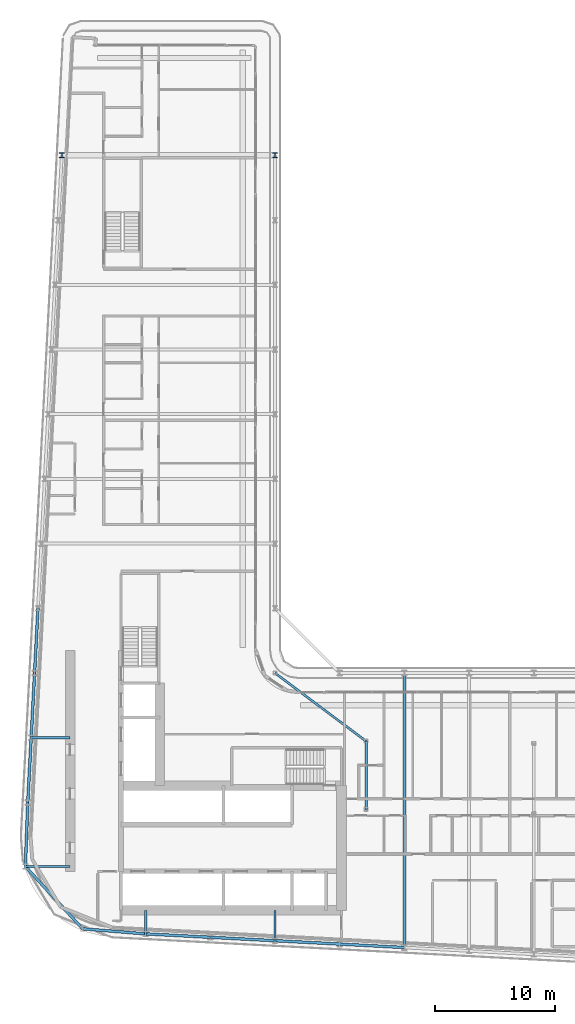
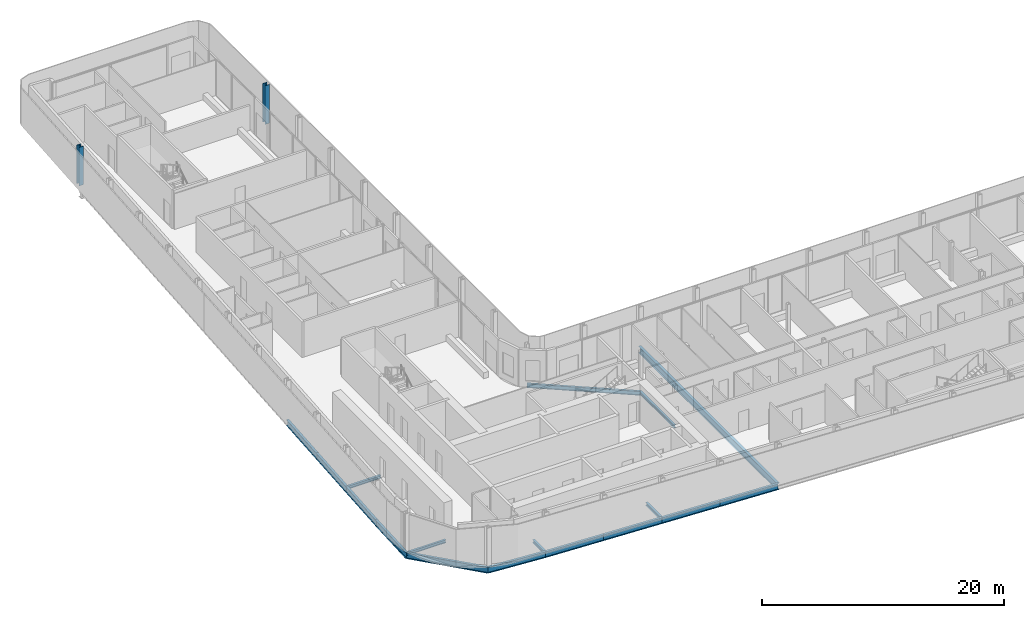
# One storey, part 5 of 30: 17 beams, 2 columns.
"""IFC4 building model written with IfcOpenShell, lengths in metres."""

from ifc_helpers import new_model, si_unit, direction, frame, origin, origin_2d, place, context, subcontext, project, spatial, i_section, extrude, material, material_profile, profile_set, type_object, element, save


model = new_model("IFC4")

# Units and contexts
model_context = context("Model", 3, precision=1e-05, world=origin(), true_north=direction((0.0, 1.0)))
body_context = subcontext(model_context, "Body", "Model", "MODEL_VIEW")
ifc_project = project(units=[si_unit("LENGTHUNIT", "METRE"), si_unit("AREAUNIT", "SQUARE_METRE"), si_unit("VOLUMEUNIT", "CUBIC_METRE"), si_unit("PLANEANGLEUNIT", "RADIAN"), si_unit("MASSUNIT", "GRAM", prefix="KILO")], contexts=[model_context])

# Site, building, storey
site_placement = place(None, origin())
site = spatial("IfcSite", under=ifc_project, at=site_placement, CompositionType="ELEMENT")
building_placement = place(site_placement, origin())
building = spatial("IfcBuilding", under=site, at=building_placement, Name="Kheshtan School and Residences Tower", CompositionType="ELEMENT")
storey_placement = place(building_placement, frame((0.0, 0.0, 199.39990234375)))
storey = spatial("IfcBuildingStorey", under=building, at=storey_placement, Name="L47", CompositionType="ELEMENT", Elevation=199.39990234375)

# Columns
ifc_material = material(Name="Steel ASTM A992 Grade 50", Category="steel")
ifc_material_profile_1 = material_profile(ifc_material, i_section(OverallWidth=0.408935546875, OverallDepth=0.425048828125, WebThickness=0.03271484375, FlangeThickness=0.052490234375, FilletRadius=0.0126953125, at=origin_2d()), Name="W360x421")
ifc_profile_set_1 = profile_set([ifc_material_profile_1], Name="Steel ASTM A992 Grade 50")
column_type = type_object("IfcColumnType", Name="Column C3 W360x421 ASTM A992 Grade 50", PredefinedType="COLUMN", material=ifc_profile_set_1)
for number, where, z_axis, x_axis, name in (
    (1, (29.81103515625, 88.800048828125, 0.0), (0.0, 0.0, 1.0), (1.0, 0.0, 0.0), "Column C098"),
    (2, (47.60009765625, 88.800048828125, 0.0), (0.0, 0.0, 1.0), (1.0, 0.0, 0.0), "Column C099"),
):
    element("IfcColumn", number, at=place(storey_placement, frame(where, z_axis=z_axis, x_axis=x_axis)), inside=storey, type_object=column_type, Name=name, PredefinedType="COLUMN", context=body_context, shape_type="SweptSolid", body=[
        extrude(i_section(OverallWidth=0.408935546875, OverallDepth=0.425048828125, WebThickness=0.03271484375, FlangeThickness=0.052490234375, FilletRadius=0.0126953125, at=origin_2d()), origin(), (0.0, 0.0, 1.0), 3.900146484375),
    ])

# Beams
ifc_material_profile_2 = material_profile(ifc_material, i_section(OverallWidth=0.202880859375, OverallDepth=0.302978515625, WebThickness=0.007568359375, FlangeThickness=0.01318359375, FilletRadius=0.009033203125, at=origin_2d()), Name="W310x60")
ifc_profile_set_2 = profile_set([ifc_material_profile_2], Name="Steel ASTM A992 Grade 50")
beam_type_1 = type_object("IfcBeamType", Name="Beam FB1 W310x60 ASTM A992 Grade 50", PredefinedType="BEAM", material=ifc_profile_set_2)
beam_1_placement = place(storey_placement, frame((47.60009765625, 23.263916015625, -0.301513671875), z_axis=(0.0, 1.0, 0.0), x_axis=(-1.0, 0.0, 0.0)))
element("IfcBeam", 3, at=beam_1_placement, inside=storey, type_object=beam_type_1, Name="Floor beam C020", PredefinedType="BEAM", context=body_context, shape_type="SweptSolid", body=[
    extrude(i_section(OverallWidth=0.202880859375, OverallDepth=0.302978515625, WebThickness=0.007568359375, FlangeThickness=0.01318359375, FilletRadius=0.009033203125, at=origin_2d()), origin(), (0.0, 0.0, 1.0), 2.5361328125),
])
beam_2_placement = place(storey_placement, frame((36.800048828125, 23.83203125, -0.301513671875), z_axis=(0.0, 1.0, 0.0), x_axis=(-1.0, 0.0, 0.0)))
element("IfcBeam", 4, at=beam_2_placement, inside=storey, type_object=beam_type_1, Name="Floor beam C022", PredefinedType="BEAM", context=body_context, shape_type="SweptSolid", body=[
    extrude(i_section(OverallWidth=0.202880859375, OverallDepth=0.302978515625, WebThickness=0.007568359375, FlangeThickness=0.01318359375, FilletRadius=0.009033203125, at=origin_2d()), origin(), (0.0, 0.0, 1.0), 1.968017578125),
])
beam_3_placement = place(storey_placement, frame((26.76904296875, 29.4541015625, -0.301513671875), z_axis=(1.0, 0.0, 0.0), x_axis=(0.0, 1.0, 0.0)))
element("IfcBeam", 5, at=beam_3_placement, inside=storey, type_object=beam_type_1, Name="Floor beam C038", PredefinedType="BEAM", context=body_context, shape_type="SweptSolid", body=[
    extrude(i_section(OverallWidth=0.202880859375, OverallDepth=0.302978515625, WebThickness=0.007568359375, FlangeThickness=0.01318359375, FilletRadius=0.009033203125, at=origin_2d()), origin(), (0.0, 0.0, 1.0), 3.73095703125),
])
beam_4_placement = place(storey_placement, frame((27.2529296875, 40.199951171875, -0.301513671875), z_axis=(1.0, 0.0, 0.0), x_axis=(0.0, 1.0, 0.0)))
element("IfcBeam", 6, at=beam_4_placement, inside=storey, type_object=beam_type_1, Name="Floor beam C056", PredefinedType="BEAM", context=body_context, shape_type="SweptSolid", body=[
    extrude(i_section(OverallWidth=0.202880859375, OverallDepth=0.302978515625, WebThickness=0.007568359375, FlangeThickness=0.01318359375, FilletRadius=0.009033203125, at=origin_2d()), origin(), (0.0, 0.0, 1.0), 3.2470703125),
])
beam_5_placement = place(storey_placement, frame((55.199951171875, 34.23193359375, -0.301513671875), z_axis=(0.0, 1.0, 0.0), x_axis=(-1.0, 0.0, 0.0)))
element("IfcBeam", 7, at=beam_5_placement, inside=storey, type_object=beam_type_1, Name="Floor beam IC", PredefinedType="BEAM", context=body_context, shape_type="SweptSolid", body=[
    extrude(i_section(OverallWidth=0.202880859375, OverallDepth=0.302978515625, WebThickness=0.007568359375, FlangeThickness=0.01318359375, FilletRadius=0.009033203125, at=origin_2d()), origin(), (0.0, 0.0, 1.0), 5.68408203125),
])
ifc_material_profile_3 = material_profile(ifc_material, i_section(OverallWidth=0.180908203125, OverallDepth=0.4169921875, WebThickness=0.010986328125, FlangeThickness=0.018310546875, FilletRadius=0.012451171875, at=origin_2d()), Name="W410x85")
ifc_profile_set_3 = profile_set([ifc_material_profile_3], Name="Steel ASTM A992 Grade 50")
beam_type_2 = type_object("IfcBeamType", Name="Beam FB3 W410x85 ASTM A992 Grade 50", PredefinedType="BEAM", material=ifc_profile_set_3)
beam_6_placement = place(storey_placement, frame((47.60009765625, 45.60009765625, -0.3583984375), z_axis=(0.800798828004, -0.598933416222, 0.0), x_axis=(0.598933416222, 0.800798828004, 0.0)))
element("IfcBeam", 8, at=beam_6_placement, inside=storey, type_object=beam_type_2, Name="Floor beam IC", PredefinedType="BEAM", context=body_context, shape_type="SweptSolid", body=[
    extrude(i_section(OverallWidth=0.180908203125, OverallDepth=0.4169921875, WebThickness=0.010986328125, FlangeThickness=0.018310546875, FilletRadius=0.012451171875, at=origin_2d()), origin(), (0.0, 0.0, 1.0), 9.490234375),
])
ifc_material_profile_4 = material_profile(ifc_material, i_section(OverallWidth=0.2529296875, OverallDepth=0.677978515625, WebThickness=0.01171875, FlangeThickness=0.016357421875, FilletRadius=0.0146484375, at=origin_2d()), Name="W690x125")
ifc_profile_set_4 = profile_set([ifc_material_profile_4], Name="Steel ASTM A992 Grade 50")
beam_type_3 = type_object("IfcBeamType", Name="Beam FB6 W690x125 ASTM A992 Grade 50", PredefinedType="BEAM", material=ifc_profile_set_4)
beam_7_placement = place(storey_placement, frame((58.39990234375, 22.695068359375, -0.489013671875), z_axis=(0.0, 1.0, 0.0), x_axis=(-1.0, 0.0, 0.0)))
element("IfcBeam", 9, at=beam_7_placement, inside=storey, type_object=beam_type_3, Name="Floor beam C018", PredefinedType="BEAM", context=body_context, shape_type="SweptSolid", body=[
    extrude(i_section(OverallWidth=0.2529296875, OverallDepth=0.677978515625, WebThickness=0.01171875, FlangeThickness=0.016357421875, FilletRadius=0.0146484375, at=origin_2d()), origin(), (0.0, 0.0, 1.0), 22.905029296875),
])
ifc_material_profile_5 = material_profile(ifc_material, i_section(OverallWidth=0.22802734375, OverallDepth=0.60302734375, WebThickness=0.010498046875, FlangeThickness=0.014892578125, FilletRadius=0.013427734375, at=origin_2d()), Name="W610x101")
ifc_profile_set_5 = profile_set([ifc_material_profile_5], Name="Steel ASTM A992 Grade 50")
beam_type_4 = type_object("IfcBeamType", Name="Beam SP2 W610x101 ASTM A992 Grade 50", PredefinedType="BEAM", material=ifc_profile_set_5)
for number, where, z_axis, x_axis, name in (
    (10, (58.39990234375, 22.695068359375, -0.451416015625), (-0.998610961136, 0.052689166816, 0.0), (-0.052689166816, -0.998610961136, 0.0), "Spandrel beam C018-C019"),
    (11, (53.0, 22.97998046875, -0.451416015625), (-0.998620447272, 0.05250906864, 0.0), (-0.05250906864, -0.998620447272, 0.0), "Spandrel beam C019-C020"),
):
    element("IfcBeam", number, at=place(storey_placement, frame(where, z_axis=z_axis, x_axis=x_axis)), inside=storey, type_object=beam_type_4, Name=name, PredefinedType="BEAM", context=body_context, shape_type="SweptSolid", body=[
        extrude(i_section(OverallWidth=0.22802734375, OverallDepth=0.60302734375, WebThickness=0.010498046875, FlangeThickness=0.014892578125, FilletRadius=0.013427734375, at=origin_2d()), origin(), (0.0, 0.0, 1.0), 5.407470703125),
    ])
beam_8_placement = place(storey_placement, frame((47.60009765625, 23.263916015625, -0.451416015625), z_axis=(-0.998618203458, 0.052551724256, 0.0), x_axis=(-0.052551724256, -0.998618203458, 0.0)))
element("IfcBeam", 12, at=beam_8_placement, inside=storey, type_object=beam_type_4, Name="Spandrel beam C020-C021", PredefinedType="BEAM", context=body_context, shape_type="SweptSolid", body=[
    extrude(i_section(OverallWidth=0.22802734375, OverallDepth=0.60302734375, WebThickness=0.010498046875, FlangeThickness=0.014892578125, FilletRadius=0.013427734375, at=origin_2d()), origin(), (0.0, 0.0, 1.0), 5.40771484375),
])
beam_9_placement = place(storey_placement, frame((42.199951171875, 23.548095703125, -0.451416015625), z_axis=(-0.998620447272, 0.05250906864, 0.0), x_axis=(-0.05250906864, -0.998620447272, 0.0)))
element("IfcBeam", 13, at=beam_9_placement, inside=storey, type_object=beam_type_4, Name="Spandrel beam C021-C022", PredefinedType="BEAM", context=body_context, shape_type="SweptSolid", body=[
    extrude(i_section(OverallWidth=0.22802734375, OverallDepth=0.60302734375, WebThickness=0.010498046875, FlangeThickness=0.014892578125, FilletRadius=0.013427734375, at=origin_2d()), origin(), (0.0, 0.0, 1.0), 5.407470703125),
])
beam_10_placement = place(storey_placement, frame((36.800048828125, 23.83203125, -0.451416015625), z_axis=(-0.996748565693, 0.08057479003, 0.0), x_axis=(-0.08057479003, -0.996748565693, 0.0)))
element("IfcBeam", 14, at=beam_10_placement, inside=storey, type_object=beam_type_4, Name="Spandrel beam C022-C025", PredefinedType="BEAM", context=body_context, shape_type="SweptSolid", body=[
    extrude(i_section(OverallWidth=0.22802734375, OverallDepth=0.60302734375, WebThickness=0.010498046875, FlangeThickness=0.014892578125, FilletRadius=0.013427734375, at=origin_2d()), origin(), (0.0, 0.0, 1.0), 5.275146484375),
])
beam_11_placement = place(storey_placement, frame((31.5419921875, 24.257080078125, -0.451416015625), z_axis=(-0.676418406149, 0.736517576045, 0.0), x_axis=(-0.736517576045, -0.676418406149, 0.0)))
element("IfcBeam", 15, at=beam_11_placement, inside=storey, type_object=beam_type_4, Name="Spandrel beam C025-C038", PredefinedType="BEAM", context=body_context, shape_type="SweptSolid", body=[
    extrude(i_section(OverallWidth=0.22802734375, OverallDepth=0.60302734375, WebThickness=0.010498046875, FlangeThickness=0.014892578125, FilletRadius=0.013427734375, at=origin_2d()), origin(), (0.0, 0.0, 1.0), 7.05615234375),
])
beam_12_placement = place(storey_placement, frame((26.76904296875, 29.4541015625, -0.451416015625), z_axis=(0.037376249491, 0.999301263871, 0.0), x_axis=(-0.999301263871, 0.037376249491, 0.0)))
element("IfcBeam", 16, at=beam_12_placement, inside=storey, type_object=beam_type_4, Name="Spandrel beam C038-C052", PredefinedType="BEAM", context=body_context, shape_type="SweptSolid", body=[
    extrude(i_section(OverallWidth=0.22802734375, OverallDepth=0.60302734375, WebThickness=0.010498046875, FlangeThickness=0.014892578125, FilletRadius=0.013427734375, at=origin_2d()), origin(), (0.0, 0.0, 1.0), 5.349609375),
])
beam_13_placement = place(storey_placement, frame((26.968994140625, 34.800048828125, -0.451416015625), z_axis=(0.05250906864, 0.998620447272, 0.0), x_axis=(-0.998620447272, 0.05250906864, 0.0)))
element("IfcBeam", 17, at=beam_13_placement, inside=storey, type_object=beam_type_4, Name="Spandrel beam C052-C056", PredefinedType="BEAM", context=body_context, shape_type="SweptSolid", body=[
    extrude(i_section(OverallWidth=0.22802734375, OverallDepth=0.60302734375, WebThickness=0.010498046875, FlangeThickness=0.014892578125, FilletRadius=0.013427734375, at=origin_2d()), origin(), (0.0, 0.0, 1.0), 5.407470703125),
])
beam_14_placement = place(storey_placement, frame((27.2529296875, 40.199951171875, -0.451416015625), z_axis=(0.052551724256, 0.998618203458, 0.0), x_axis=(-0.998618203458, 0.052551724256, 0.0)))
element("IfcBeam", 18, at=beam_14_placement, inside=storey, type_object=beam_type_4, Name="Spandrel beam C056-C059", PredefinedType="BEAM", context=body_context, shape_type="SweptSolid", body=[
    extrude(i_section(OverallWidth=0.22802734375, OverallDepth=0.60302734375, WebThickness=0.010498046875, FlangeThickness=0.014892578125, FilletRadius=0.013427734375, at=origin_2d()), origin(), (0.0, 0.0, 1.0), 5.40771484375),
])
beam_15_placement = place(storey_placement, frame((27.537109375, 45.60009765625, -0.451416015625), z_axis=(0.052689166816, 0.998610961136, 0.0), x_axis=(-0.998610961136, 0.052689166816, 0.0)))
element("IfcBeam", 19, at=beam_15_placement, inside=storey, type_object=beam_type_4, Name="Spandrel beam C059-C078", PredefinedType="BEAM", context=body_context, shape_type="SweptSolid", body=[
    extrude(i_section(OverallWidth=0.22802734375, OverallDepth=0.60302734375, WebThickness=0.010498046875, FlangeThickness=0.014892578125, FilletRadius=0.013427734375, at=origin_2d()), origin(), (0.0, 0.0, 1.0), 5.407470703125),
])

save(model, "model.ifc")
